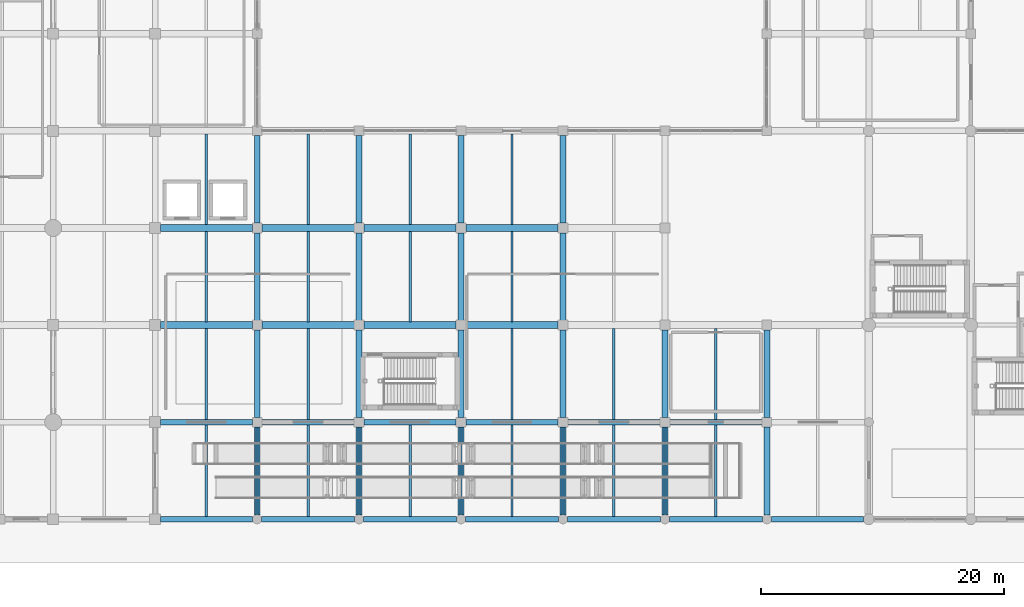
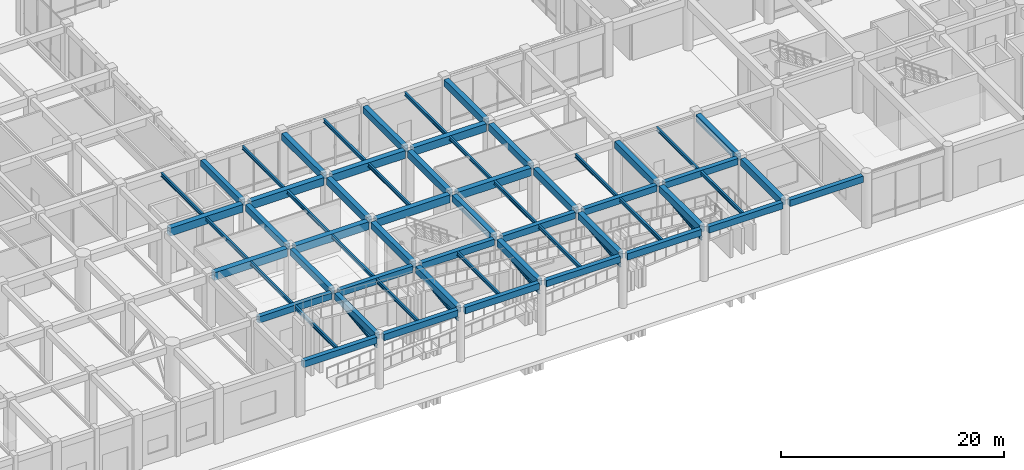
# One storey, part 21 of 76: 60 beams, 5 members.
"""IFC4 building model written with IfcOpenShell, lengths in metres."""

from ifc_helpers import new_model, si_unit, direction, frame, origin, origin_2d, place, context, subcontext, project, spatial, rectangle, i_section, extrude, material, material_profile, profile_set, type_object, element, save


model = new_model("IFC4")

# Units and contexts
model_context = context("Model", 3, precision=1e-05, world=origin(), true_north=direction((0.0, 1.0)))
body_context = subcontext(model_context, "Body", "Model", "MODEL_VIEW")
ifc_project = project(units=[si_unit("LENGTHUNIT", "METRE"), si_unit("AREAUNIT", "SQUARE_METRE"), si_unit("VOLUMEUNIT", "CUBIC_METRE"), si_unit("PLANEANGLEUNIT", "RADIAN"), si_unit("MASSUNIT", "GRAM", prefix="KILO")], contexts=[model_context])

# Site, building, storey
site_placement = place(None, origin())
site = spatial("IfcSite", under=ifc_project, at=site_placement, CompositionType="ELEMENT")
building_placement = place(site_placement, origin())
building = spatial("IfcBuilding", under=site, at=building_placement, Name="Naruveol Harbour Congress Hotel", CompositionType="ELEMENT")
storey_placement = place(building_placement, origin())
storey = spatial("IfcBuildingStorey", under=building, at=storey_placement, Name="L00", CompositionType="ELEMENT", Elevation=0.0)

# Beams
ifc_material_1 = material(Name="Concrete C40/50", Category="concrete")
ifc_material_profile_1 = material_profile(ifc_material_1, rectangle(XDim=0.5, YDim=0.75, at=origin_2d()), Name="RCB-500x750")
ifc_profile_set_1 = profile_set([ifc_material_profile_1], Name="Concrete C40/50")
beam_type_1 = type_object("IfcBeamType", Name="RC FLOOR GIRDER 500X750", PredefinedType="BEAM", material=ifc_profile_set_1)
beam_1_placement = place(storey_placement, frame((75.60009765625, 0.37109375, 5.324951171875), z_axis=(0.0, 1.0, 0.0), x_axis=(-1.0, 0.0, 0.0)))
element("IfcBeam", 1, at=beam_1_placement, inside=storey, type_object=beam_type_1, Name="Transverse girder L01 CB3", PredefinedType="BEAM", context=body_context, shape_type="SweptSolid", body=[
    extrude(rectangle(XDim=0.5, YDim=0.75, at=origin_2d()), origin(), (0.0, 0.0, 1.0), 7.23291015625),
])
for number, where, z_axis, x_axis, name in (
    (2, (75.60009765625, 8.39599609375, 5.324951171875), (0.0, 1.0, 0.0), (-1.0, 0.0, 0.0), "Transverse girder L01 CB3"),
    (3, (75.60009765625, 16.39599609375, 5.324951171875), (0.0, 1.0, 0.0), (-1.0, 0.0, 0.0), "Transverse girder L01 CB3"),
    (4, (75.60009765625, 24.39599609375, 5.324951171875), (0.0, 1.0, 0.0), (-1.0, 0.0, 0.0), "Transverse girder L01 CB3"),
):
    element("IfcBeam", number, at=place(storey_placement, frame(where, z_axis=z_axis, x_axis=x_axis)), inside=storey, type_object=beam_type_1, Name=name, PredefinedType="BEAM", context=body_context, shape_type="SweptSolid", body=[
        extrude(rectangle(XDim=0.5, YDim=0.75, at=origin_2d()), origin(), (0.0, 0.0, 1.0), 7.2080078125),
    ])
beam_2_placement = place(storey_placement, frame((84.0, 0.37109375, 5.324951171875), z_axis=(0.0, 1.0, 0.0), x_axis=(-1.0, 0.0, 0.0)))
element("IfcBeam", 5, at=beam_2_placement, inside=storey, type_object=beam_type_1, Name="Transverse girder L01 CB3", PredefinedType="BEAM", context=body_context, shape_type="SweptSolid", body=[
    extrude(rectangle(XDim=0.5, YDim=0.75, at=origin_2d()), origin(), (0.0, 0.0, 1.0), 7.23291015625),
])
for number, where, z_axis, x_axis, name in (
    (6, (84.0, 8.39599609375, 5.324951171875), (0.0, 1.0, 0.0), (-1.0, 0.0, 0.0), "Transverse girder L01 CB3"),
    (7, (84.0, 16.39599609375, 5.324951171875), (0.0, 1.0, 0.0), (-1.0, 0.0, 0.0), "Transverse girder L01 CB3"),
    (8, (84.0, 24.39599609375, 5.324951171875), (0.0, 1.0, 0.0), (-1.0, 0.0, 0.0), "Transverse girder L01 CB3"),
):
    element("IfcBeam", number, at=place(storey_placement, frame(where, z_axis=z_axis, x_axis=x_axis)), inside=storey, type_object=beam_type_1, Name=name, PredefinedType="BEAM", context=body_context, shape_type="SweptSolid", body=[
        extrude(rectangle(XDim=0.5, YDim=0.75, at=origin_2d()), origin(), (0.0, 0.0, 1.0), 7.2080078125),
    ])
beam_3_placement = place(storey_placement, frame((92.39990234375, 0.37109375, 5.324951171875), z_axis=(0.0, 1.0, 0.0), x_axis=(-1.0, 0.0, 0.0)))
element("IfcBeam", 9, at=beam_3_placement, inside=storey, type_object=beam_type_1, Name="Transverse girder L01 CB3", PredefinedType="BEAM", context=body_context, shape_type="SweptSolid", body=[
    extrude(rectangle(XDim=0.5, YDim=0.75, at=origin_2d()), origin(), (0.0, 0.0, 1.0), 7.23291015625),
])
for number, where, z_axis, x_axis, name in (
    (10, (92.39990234375, 8.39599609375, 5.324951171875), (0.0, 1.0, 0.0), (-1.0, 0.0, 0.0), "Transverse girder L01 CB3"),
    (11, (92.39990234375, 16.39599609375, 5.324951171875), (0.0, 1.0, 0.0), (-1.0, 0.0, 0.0), "Transverse girder L01 CB3"),
    (12, (92.39990234375, 24.39599609375, 5.324951171875), (0.0, 1.0, 0.0), (-1.0, 0.0, 0.0), "Transverse girder L01 CB3"),
):
    element("IfcBeam", number, at=place(storey_placement, frame(where, z_axis=z_axis, x_axis=x_axis)), inside=storey, type_object=beam_type_1, Name=name, PredefinedType="BEAM", context=body_context, shape_type="SweptSolid", body=[
        extrude(rectangle(XDim=0.5, YDim=0.75, at=origin_2d()), origin(), (0.0, 0.0, 1.0), 7.2080078125),
    ])
beam_4_placement = place(storey_placement, frame((100.800048828125, 0.37109375, 5.324951171875), z_axis=(0.0, 1.0, 0.0), x_axis=(-1.0, 0.0, 0.0)))
element("IfcBeam", 13, at=beam_4_placement, inside=storey, type_object=beam_type_1, Name="Transverse girder L01 CB3", PredefinedType="BEAM", context=body_context, shape_type="SweptSolid", body=[
    extrude(rectangle(XDim=0.5, YDim=0.75, at=origin_2d()), origin(), (0.0, 0.0, 1.0), 7.23291015625),
])
beam_5_placement = place(storey_placement, frame((100.800048828125, 8.39599609375, 5.324951171875), z_axis=(0.0, 1.0, 0.0), x_axis=(-1.0, 0.0, 0.0)))
element("IfcBeam", 14, at=beam_5_placement, inside=storey, type_object=beam_type_1, Name="Transverse girder L01 CB3", PredefinedType="BEAM", context=body_context, shape_type="SweptSolid", body=[
    extrude(rectangle(XDim=0.5, YDim=0.75, at=origin_2d()), origin(), (0.0, 0.0, 1.0), 7.2080078125),
])
beam_6_placement = place(storey_placement, frame((109.199951171875, 0.37109375, 5.324951171875), z_axis=(0.0, 1.0, 0.0), x_axis=(-1.0, 0.0, 0.0)))
element("IfcBeam", 15, at=beam_6_placement, inside=storey, type_object=beam_type_1, Name="Transverse girder L01 CB3", PredefinedType="BEAM", context=body_context, shape_type="SweptSolid", body=[
    extrude(rectangle(XDim=0.5, YDim=0.75, at=origin_2d()), origin(), (0.0, 0.0, 1.0), 7.23291015625),
])
beam_7_placement = place(storey_placement, frame((109.199951171875, 8.39599609375, 5.324951171875), z_axis=(0.0, 1.0, 0.0), x_axis=(-1.0, 0.0, 0.0)))
element("IfcBeam", 16, at=beam_7_placement, inside=storey, type_object=beam_type_1, Name="Transverse girder L01 CB3", PredefinedType="BEAM", context=body_context, shape_type="SweptSolid", body=[
    extrude(rectangle(XDim=0.5, YDim=0.75, at=origin_2d()), origin(), (0.0, 0.0, 1.0), 7.2080078125),
])
ifc_material_2 = material(Name="Concrete C40/50", Category="concrete")
ifc_material_profile_2 = material_profile(ifc_material_2, rectangle(XDim=0.550048828125, YDim=0.85009765625, at=origin_2d()), Name="RCB-550x850")
ifc_profile_set_2 = profile_set([ifc_material_profile_2], Name="Concrete C40/50")
beam_type_2 = type_object("IfcBeamType", Name="RC PRIMARY GIRDER 550X850", PredefinedType="BEAM", material=ifc_profile_set_2)
beam_8_placement = place(storey_placement, frame((59.24609375, 16.0, 5.27490234375), z_axis=(1.0, 0.0, 0.0), x_axis=(0.0, 1.0, 0.0)))
element("IfcBeam", 17, at=beam_8_placement, inside=storey, type_object=beam_type_2, Name="Floor girder L01 CB2", PredefinedType="BEAM", context=body_context, shape_type="SweptSolid", body=[
    extrude(rectangle(XDim=0.550048828125, YDim=0.85009765625, at=origin_2d()), origin(), (0.0, 0.0, 1.0), 7.557861328125),
])
beam_9_placement = place(storey_placement, frame((67.595947265625, 16.0, 5.27490234375), z_axis=(1.0, 0.0, 0.0), x_axis=(0.0, 1.0, 0.0)))
element("IfcBeam", 18, at=beam_9_placement, inside=storey, type_object=beam_type_2, Name="Floor girder L01 CB2", PredefinedType="BEAM", context=body_context, shape_type="SweptSolid", body=[
    extrude(rectangle(XDim=0.550048828125, YDim=0.85009765625, at=origin_2d()), origin(), (0.0, 0.0, 1.0), 7.608154296875),
])
for number, where, z_axis, x_axis, name in (
    (19, (75.99609375, 16.0, 5.27490234375), (1.0, 0.0, 0.0), (0.0, 1.0, 0.0), "Floor girder L01 CB2"),
    (20, (84.39599609375, 16.0, 5.27490234375), (1.0, 0.0, 0.0), (0.0, 1.0, 0.0), "Floor girder L01 CB2"),
):
    element("IfcBeam", number, at=place(storey_placement, frame(where, z_axis=z_axis, x_axis=x_axis)), inside=storey, type_object=beam_type_2, Name=name, PredefinedType="BEAM", context=body_context, shape_type="SweptSolid", body=[
        extrude(rectangle(XDim=0.550048828125, YDim=0.85009765625, at=origin_2d()), origin(), (0.0, 0.0, 1.0), 7.60791015625),
    ])
beam_10_placement = place(storey_placement, frame((59.24609375, 24.0, 5.27490234375), z_axis=(1.0, 0.0, 0.0), x_axis=(0.0, 1.0, 0.0)))
element("IfcBeam", 21, at=beam_10_placement, inside=storey, type_object=beam_type_2, Name="Floor girder L01 CB2", PredefinedType="BEAM", context=body_context, shape_type="SweptSolid", body=[
    extrude(rectangle(XDim=0.550048828125, YDim=0.85009765625, at=origin_2d()), origin(), (0.0, 0.0, 1.0), 7.557861328125),
])
beam_11_placement = place(storey_placement, frame((67.595947265625, 24.0, 5.27490234375), z_axis=(1.0, 0.0, 0.0), x_axis=(0.0, 1.0, 0.0)))
element("IfcBeam", 22, at=beam_11_placement, inside=storey, type_object=beam_type_2, Name="Floor girder L01 CB2", PredefinedType="BEAM", context=body_context, shape_type="SweptSolid", body=[
    extrude(rectangle(XDim=0.550048828125, YDim=0.85009765625, at=origin_2d()), origin(), (0.0, 0.0, 1.0), 7.608154296875),
])
for number, where, z_axis, x_axis, name in (
    (23, (75.99609375, 24.0, 5.27490234375), (1.0, 0.0, 0.0), (0.0, 1.0, 0.0), "Floor girder L01 CB2"),
    (24, (84.39599609375, 24.0, 5.27490234375), (1.0, 0.0, 0.0), (0.0, 1.0, 0.0), "Floor girder L01 CB2"),
):
    element("IfcBeam", number, at=place(storey_placement, frame(where, z_axis=z_axis, x_axis=x_axis)), inside=storey, type_object=beam_type_2, Name=name, PredefinedType="BEAM", context=body_context, shape_type="SweptSolid", body=[
        extrude(rectangle(XDim=0.550048828125, YDim=0.85009765625, at=origin_2d()), origin(), (0.0, 0.0, 1.0), 7.60791015625),
    ])
ifc_material_3 = material(Name="Concrete C40/50", Category="concrete")
ifc_material_profile_3 = material_profile(ifc_material_3, rectangle(XDim=0.449951171875, YDim=0.699951171875, at=origin_2d()), Name="RCB-450x700")
ifc_profile_set_3 = profile_set([ifc_material_profile_3], Name="Concrete C40/50")
beam_type_3 = type_object("IfcBeamType", Name="RC SPANDREL BEAM 450X700", PredefinedType="SPANDREL", material=ifc_profile_set_3)
beam_12_placement = place(storey_placement, frame((59.24609375, 0.0, 5.35009765625), z_axis=(1.0, 0.0, 0.0), x_axis=(0.0, 1.0, 0.0)))
element("IfcBeam", 25, at=beam_12_placement, inside=storey, type_object=beam_type_3, Name="Floor girder L01 SPB1", PredefinedType="SPANDREL", context=body_context, shape_type="SweptSolid", body=[
    extrude(rectangle(XDim=0.449951171875, YDim=0.699951171875, at=origin_2d()), origin(), (0.0, 0.0, 1.0), 7.5830078125),
])
for number, where, z_axis, x_axis, name in (
    (26, (67.571044921875, 0.0, 5.3701171875), (1.0, 0.0, 0.0), (0.0, 1.0, 0.0), "Floor girder L01 SPB1"),
    (27, (75.970947265625, 0.0, 5.3701171875), (1.0, 0.0, 0.0), (0.0, 1.0, 0.0), "Floor girder L01 SPB1"),
    (28, (84.37109375, 0.0, 5.3701171875), (1.0, 0.0, 0.0), (0.0, 1.0, 0.0), "Floor girder L01 SPB1"),
    (29, (92.77099609375, 0.0, 5.3701171875), (1.0, 0.0, 0.0), (0.0, 1.0, 0.0), "Floor girder L01 SPB1"),
):
    element("IfcBeam", number, at=place(storey_placement, frame(where, z_axis=z_axis, x_axis=x_axis)), inside=storey, type_object=beam_type_3, Name=name, PredefinedType="SPANDREL", context=body_context, shape_type="SweptSolid", body=[
        extrude(rectangle(XDim=0.449951171875, YDim=0.699951171875, at=origin_2d()), origin(), (0.0, 0.0, 1.0), 7.657958984375),
    ])
beam_13_placement = place(storey_placement, frame((101.1708984375, 0.0, 5.3701171875), z_axis=(1.0, 0.0, 0.0), x_axis=(0.0, 1.0, 0.0)))
element("IfcBeam", 30, at=beam_13_placement, inside=storey, type_object=beam_type_3, Name="Floor girder L01 SPB1", PredefinedType="SPANDREL", context=body_context, shape_type="SweptSolid", body=[
    extrude(rectangle(XDim=0.449951171875, YDim=0.699951171875, at=origin_2d()), origin(), (0.0, 0.0, 1.0), 7.658203125),
])
beam_14_placement = place(storey_placement, frame((109.571044921875, 0.0, 5.35009765625), z_axis=(1.0, 0.0, 0.0), x_axis=(0.0, 1.0, 0.0)))
element("IfcBeam", 31, at=beam_14_placement, inside=storey, type_object=beam_type_3, Name="Floor girder L01 SPB1", PredefinedType="SPANDREL", context=body_context, shape_type="SweptSolid", body=[
    extrude(rectangle(XDim=0.449951171875, YDim=0.699951171875, at=origin_2d()), origin(), (0.0, 0.0, 1.0), 7.5830078125),
])
beam_15_placement = place(storey_placement, frame((59.24609375, 8.0, 5.35009765625), z_axis=(1.0, 0.0, 0.0), x_axis=(0.0, 1.0, 0.0)))
element("IfcBeam", 32, at=beam_15_placement, inside=storey, type_object=beam_type_3, Name="Floor girder L01 SPB1", PredefinedType="SPANDREL", context=body_context, shape_type="SweptSolid", body=[
    extrude(rectangle(XDim=0.449951171875, YDim=0.699951171875, at=origin_2d()), origin(), (0.0, 0.0, 1.0), 7.557861328125),
])
beam_16_placement = place(storey_placement, frame((67.595947265625, 8.0, 5.35009765625), z_axis=(1.0, 0.0, 0.0), x_axis=(0.0, 1.0, 0.0)))
element("IfcBeam", 33, at=beam_16_placement, inside=storey, type_object=beam_type_3, Name="Floor girder L01 SPB1", PredefinedType="SPANDREL", context=body_context, shape_type="SweptSolid", body=[
    extrude(rectangle(XDim=0.449951171875, YDim=0.699951171875, at=origin_2d()), origin(), (0.0, 0.0, 1.0), 7.608154296875),
])
for number, where, z_axis, x_axis, name in (
    (34, (75.99609375, 8.0, 5.35009765625), (1.0, 0.0, 0.0), (0.0, 1.0, 0.0), "Floor girder L01 SPB1"),
    (35, (84.39599609375, 8.0, 5.35009765625), (1.0, 0.0, 0.0), (0.0, 1.0, 0.0), "Floor girder L01 SPB1"),
):
    element("IfcBeam", number, at=place(storey_placement, frame(where, z_axis=z_axis, x_axis=x_axis)), inside=storey, type_object=beam_type_3, Name=name, PredefinedType="SPANDREL", context=body_context, shape_type="SweptSolid", body=[
        extrude(rectangle(XDim=0.449951171875, YDim=0.699951171875, at=origin_2d()), origin(), (0.0, 0.0, 1.0), 7.60791015625),
    ])
beam_17_placement = place(storey_placement, frame((92.7958984375, 8.0, 5.35009765625), z_axis=(1.0, 0.0, 0.0), x_axis=(0.0, 1.0, 0.0)))
element("IfcBeam", 36, at=beam_17_placement, inside=storey, type_object=beam_type_3, Name="Floor girder L01 SPB1", PredefinedType="SPANDREL", context=body_context, shape_type="SweptSolid", body=[
    extrude(rectangle(XDim=0.449951171875, YDim=0.699951171875, at=origin_2d()), origin(), (0.0, 0.0, 1.0), 7.608154296875),
])
beam_18_placement = place(storey_placement, frame((101.196044921875, 8.0, 5.35009765625), z_axis=(1.0, 0.0, 0.0), x_axis=(0.0, 1.0, 0.0)))
element("IfcBeam", 37, at=beam_18_placement, inside=storey, type_object=beam_type_3, Name="Floor girder L01 SPB1", PredefinedType="SPANDREL", context=body_context, shape_type="SweptSolid", body=[
    extrude(rectangle(XDim=0.449951171875, YDim=0.699951171875, at=origin_2d()), origin(), (0.0, 0.0, 1.0), 7.60791015625),
])
beam_19_placement = place(storey_placement, frame((67.199951171875, 0.37109375, 5.35009765625), z_axis=(0.0, 1.0, 0.0), x_axis=(-1.0, 0.0, 0.0)))
element("IfcBeam", 38, at=beam_19_placement, inside=storey, type_object=beam_type_3, Name="Transverse girder L01 SPB1", PredefinedType="SPANDREL", context=body_context, shape_type="SweptSolid", body=[
    extrude(rectangle(XDim=0.449951171875, YDim=0.699951171875, at=origin_2d()), origin(), (0.0, 0.0, 1.0), 7.23291015625),
])
for number, where, z_axis, x_axis, name in (
    (39, (67.199951171875, 8.39599609375, 5.35009765625), (0.0, 1.0, 0.0), (-1.0, 0.0, 0.0), "Transverse girder L01 SPB1"),
    (40, (67.199951171875, 16.39599609375, 5.35009765625), (0.0, 1.0, 0.0), (-1.0, 0.0, 0.0), "Transverse girder L01 SPB1"),
    (41, (67.199951171875, 24.39599609375, 5.35009765625), (0.0, 1.0, 0.0), (-1.0, 0.0, 0.0), "Transverse girder L01 SPB1"),
):
    element("IfcBeam", number, at=place(storey_placement, frame(where, z_axis=z_axis, x_axis=x_axis)), inside=storey, type_object=beam_type_3, Name=name, PredefinedType="SPANDREL", context=body_context, shape_type="SweptSolid", body=[
        extrude(rectangle(XDim=0.449951171875, YDim=0.699951171875, at=origin_2d()), origin(), (0.0, 0.0, 1.0), 7.2080078125),
    ])

# Members
ifc_material_4 = material(Name="Steel SN490", Category="steel")
ifc_material_profile_4 = material_profile(ifc_material_4, i_section(OverallWidth=0.175048828125, OverallDepth=0.35009765625, WebThickness=0.007080078125, FlangeThickness=0.010986328125, at=origin_2d()), Name="H-350x175x7x11")
ifc_profile_set_4 = profile_set([ifc_material_profile_4], Name="Steel SN490")
member_type = type_object("IfcMemberType", Name="STEEL CANOPY TIE CHORD H350", PredefinedType="CHORD", material=ifc_profile_set_4)
for number, where, z_axis, x_axis, name in (
    (42, (67.199951171875, 0.3701171875, 4.199951171875), (0.0, 0.992400613026, 0.123048865356), (-1.0, 0.0, 0.0), "Promenade colonnade tie chord #2"),
    (43, (75.60009765625, 0.3701171875, 4.199951171875), (0.0, 0.992400613026, 0.123048865356), (-1.0, 0.0, 0.0), "Promenade colonnade tie chord #3"),
    (44, (84.0, 0.3701171875, 4.199951171875), (0.0, 0.992400613026, 0.123048865356), (-1.0, 0.0, 0.0), "Promenade colonnade tie chord #4"),
    (45, (92.39990234375, 0.3701171875, 4.199951171875), (0.0, 0.992400613026, 0.123048865356), (-1.0, 0.0, 0.0), "Promenade colonnade tie chord #5"),
    (46, (100.800048828125, 0.3701171875, 4.199951171875), (0.0, 0.992400613026, 0.123048865356), (-1.0, 0.0, 0.0), "Promenade colonnade tie chord #6"),
):
    element("IfcMember", number, at=place(storey_placement, frame(where, z_axis=z_axis, x_axis=x_axis)), inside=storey, type_object=member_type, Name=name, PredefinedType="CHORD", context=body_context, shape_type="SweptSolid", body=[
        extrude(i_section(OverallWidth=0.175048828125, OverallDepth=0.35009765625, WebThickness=0.007080078125, FlangeThickness=0.010986328125, at=origin_2d()), origin(), (0.0, 0.0, 1.0), 7.3154296875),
    ])

# Beams
ifc_material_5 = material(Name="Steel SN490", Category="steel")
ifc_material_profile_5 = material_profile(ifc_material_5, i_section(OverallWidth=0.199951171875, OverallDepth=0.39990234375, WebThickness=0.008056640625, FlangeThickness=0.012939453125, at=origin_2d()), Name="H-400x200x8x13")
ifc_profile_set_5 = profile_set([ifc_material_profile_5], Name="Steel SN490")
beam_type_4 = type_object("IfcBeamType", Name="STEEL SECONDARY JOIST H400", PredefinedType="JOIST", material=ifc_profile_set_5)
for number, where, z_axis, x_axis, name in (
    (47, (63.0, 0.220947265625, 5.5), (0.0, 1.0, 0.0), (-1.0, 0.0, 0.0), "Secondary floor joist L01 SJ1"),
    (48, (71.39990234375, 0.220947265625, 5.5), (0.0, 1.0, 0.0), (-1.0, 0.0, 0.0), "Secondary floor joist L01 SJ1"),
    (49, (79.800048828125, 0.220947265625, 5.5), (0.0, 1.0, 0.0), (-1.0, 0.0, 0.0), "Secondary floor joist L01 SJ1"),
    (50, (88.199951171875, 0.220947265625, 5.5), (0.0, 1.0, 0.0), (-1.0, 0.0, 0.0), "Secondary floor joist L01 SJ1"),
    (51, (96.60009765625, 0.220947265625, 5.5), (0.0, 1.0, 0.0), (-1.0, 0.0, 0.0), "Secondary floor joist L01 SJ1"),
    (52, (105.0, 0.220947265625, 5.5), (0.0, 1.0, 0.0), (-1.0, 0.0, 0.0), "Secondary floor joist L01 SJ1"),
):
    element("IfcBeam", number, at=place(storey_placement, frame(where, z_axis=z_axis, x_axis=x_axis)), inside=storey, type_object=beam_type_4, Name=name, PredefinedType="JOIST", context=body_context, shape_type="SweptSolid", body=[
        extrude(i_section(OverallWidth=0.199951171875, OverallDepth=0.39990234375, WebThickness=0.008056640625, FlangeThickness=0.012939453125, at=origin_2d()), origin(), (0.0, 0.0, 1.0), 7.55810546875),
    ])
for number, where, z_axis, x_axis, name in (
    (53, (63.0, 8.220947265625, 5.5), (0.0, 1.0, 0.0), (-1.0, 0.0, 0.0), "Secondary floor joist L01 SJ1"),
    (54, (71.39990234375, 8.220947265625, 5.5), (0.0, 1.0, 0.0), (-1.0, 0.0, 0.0), "Secondary floor joist L01 SJ1"),
    (55, (88.199951171875, 8.220947265625, 5.5), (0.0, 1.0, 0.0), (-1.0, 0.0, 0.0), "Secondary floor joist L01 SJ1"),
    (56, (96.60009765625, 8.220947265625, 5.5), (0.0, 1.0, 0.0), (-1.0, 0.0, 0.0), "Secondary floor joist L01 SJ1"),
    (57, (105.0, 8.220947265625, 5.5), (0.0, 1.0, 0.0), (-1.0, 0.0, 0.0), "Secondary floor joist L01 SJ1"),
):
    element("IfcBeam", number, at=place(storey_placement, frame(where, z_axis=z_axis, x_axis=x_axis)), inside=storey, type_object=beam_type_4, Name=name, PredefinedType="JOIST", context=body_context, shape_type="SweptSolid", body=[
        extrude(i_section(OverallWidth=0.199951171875, OverallDepth=0.39990234375, WebThickness=0.008056640625, FlangeThickness=0.012939453125, at=origin_2d()), origin(), (0.0, 0.0, 1.0), 7.508056640625),
    ])
for number, where, z_axis, x_axis, name in (
    (58, (63.0, 16.27099609375, 5.5), (0.0, 1.0, 0.0), (-1.0, 0.0, 0.0), "Secondary floor joist L01 SJ1"),
    (59, (71.39990234375, 16.27099609375, 5.5), (0.0, 1.0, 0.0), (-1.0, 0.0, 0.0), "Secondary floor joist L01 SJ1"),
    (60, (79.800048828125, 16.27099609375, 5.5), (0.0, 1.0, 0.0), (-1.0, 0.0, 0.0), "Secondary floor joist L01 SJ1"),
    (61, (88.199951171875, 16.27099609375, 5.5), (0.0, 1.0, 0.0), (-1.0, 0.0, 0.0), "Secondary floor joist L01 SJ1"),
    (62, (63.0, 24.27099609375, 5.5), (0.0, 1.0, 0.0), (-1.0, 0.0, 0.0), "Secondary floor joist L01 SJ1"),
    (63, (71.39990234375, 24.27099609375, 5.5), (0.0, 1.0, 0.0), (-1.0, 0.0, 0.0), "Secondary floor joist L01 SJ1"),
    (64, (79.800048828125, 24.27099609375, 5.5), (0.0, 1.0, 0.0), (-1.0, 0.0, 0.0), "Secondary floor joist L01 SJ1"),
    (65, (88.199951171875, 24.27099609375, 5.5), (0.0, 1.0, 0.0), (-1.0, 0.0, 0.0), "Secondary floor joist L01 SJ1"),
):
    element("IfcBeam", number, at=place(storey_placement, frame(where, z_axis=z_axis, x_axis=x_axis)), inside=storey, type_object=beam_type_4, Name=name, PredefinedType="JOIST", context=body_context, shape_type="SweptSolid", body=[
        extrude(i_section(OverallWidth=0.199951171875, OverallDepth=0.39990234375, WebThickness=0.008056640625, FlangeThickness=0.012939453125, at=origin_2d()), origin(), (0.0, 0.0, 1.0), 7.4580078125),
    ])

save(model, "model.ifc")
